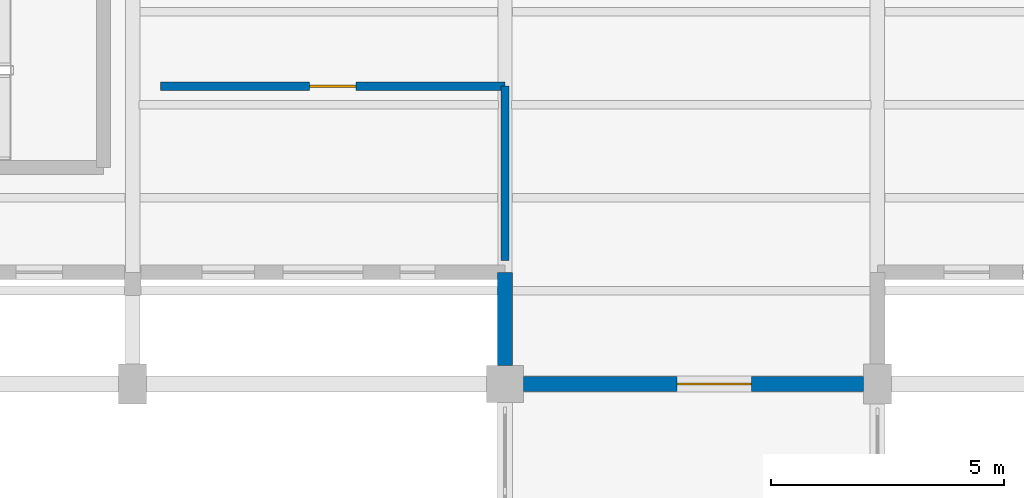
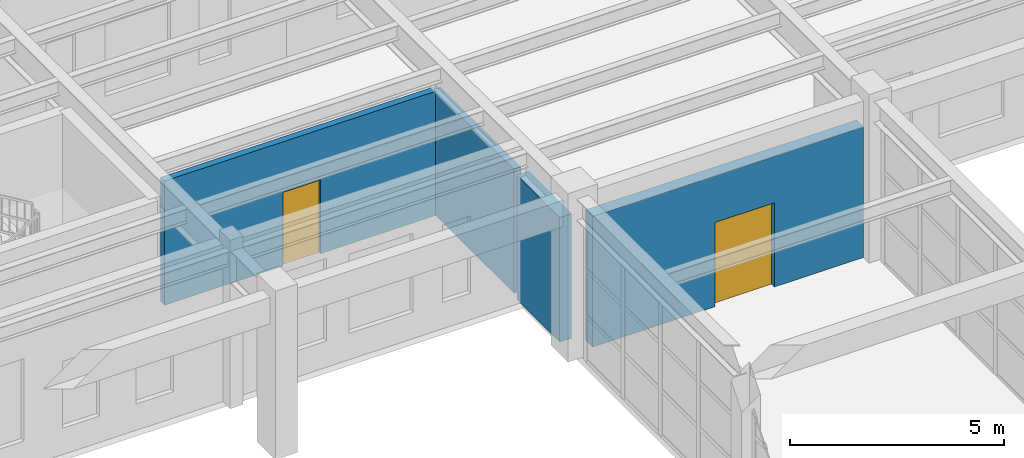
# One storey, part 42 of 59: 4 walls, 2 doors, 2 openings.
"""IFC4 building model written with IfcOpenShell, lengths in metres."""

from ifc_helpers import new_model, si_unit, direction, frame, frame_2d, origin, place, context, subcontext, project, spatial, rectangle, extrude, material, layer, layer_set, type_object, element, fill, save


model = new_model("IFC4")

# Units and contexts
model_context = context("Model", 3, precision=1e-05, world=origin(), true_north=direction((0.0, 1.0)))
body_context = subcontext(model_context, "Body", "Model", "MODEL_VIEW")
ifc_project = project(units=[si_unit("LENGTHUNIT", "METRE"), si_unit("AREAUNIT", "SQUARE_METRE"), si_unit("VOLUMEUNIT", "CUBIC_METRE"), si_unit("PLANEANGLEUNIT", "RADIAN"), si_unit("MASSUNIT", "GRAM", prefix="KILO")], contexts=[model_context])

# Site, building, storey
site_placement = place(None, origin())
site = spatial("IfcSite", under=ifc_project, at=site_placement, CompositionType="ELEMENT")
building_placement = place(site_placement, origin())
building = spatial("IfcBuilding", under=site, at=building_placement, Name="Serraluz Foothill Cableway Terminal", CompositionType="ELEMENT")
storey_placement = place(building_placement, frame((0.0, 0.0, 4.800048828125)))
storey = spatial("IfcBuildingStorey", under=building, at=storey_placement, Name="L01", CompositionType="ELEMENT", Elevation=4.800048828125)

# Wall
ifc_material_1 = material(Name="Dark clinker clay masonry brick (f'm 14 MPa)", Category="masonry")
ifc_layer_1 = layer(ifc_material_1, 0.320068359375, Name="Dark clinker clay masonry brick (f'm 14 MPa)", Category="masonry")
ifc_layer_set_1 = layer_set([ifc_layer_1], Name="Dark clinker clay masonry brick (f'm 14 MPa)")
wall_type_1 = type_object("IfcWallType", Name="TYP-WL-EXT-320", PredefinedType="STANDARD", material=ifc_layer_set_1)
wall_1_placement = place(storey_placement, frame((120.0, 56.39990234375, 0.0), z_axis=(0.0, 0.0, 1.0), x_axis=(0.0, 1.0, 0.0)))
element("IfcWall", 1, at=wall_1_placement, inside=storey, type_object=wall_type_1, Name="Exterior Masonry Wall EW-V1S-CLW-L01", PredefinedType="STANDARD", context=body_context, shape_type="SweptSolid", body=[
    extrude(rectangle(XDim=2.0, YDim=0.320068359375, at=frame_2d((1.0, 0.0))), origin(), (0.0, 0.0, 1.0), 3.5478515625),
])

# Wall, opening, door
wall_2_placement = place(storey_placement, frame((127.699951171875, 56.0, 0.0), z_axis=(0.0, 0.0, 1.0), x_axis=(-1.0, 0.0, 0.0)))
wall_2 = element("IfcWall", 2, at=wall_2_placement, inside=storey, type_object=wall_type_1, Name="Exterior Masonry Wall EW-V1S-L01-120", PredefinedType="STANDARD", context=body_context, shape_type="SweptSolid", body=[
    extrude(rectangle(XDim=7.300048828125, YDim=0.320068359375, at=frame_2d((3.64990234375, 0.0))), origin(), (0.0, 0.0, 1.0), 3.724853515625),
])
opening_1_placement = place(wall_2_placement, frame((2.39990234375, 0.0, 0.0)))
opening_1 = element("IfcOpeningElement", 3, at=opening_1_placement, cuts=wall_2, Name="Opening DT-03", PredefinedType="OPENING", context=body_context, shape_type="SweptSolid", body=[
    extrude(rectangle(XDim=1.60009765625, YDim=2.39990234375, at=frame_2d((0.800048828125, 1.199951171875))), frame((0.0, 0.169921875, 0.0), z_axis=(0.0, -1.0, 0.0), x_axis=(1.0, 0.0, 0.0)), (0.0, 0.0, 1.0), 0.340087890625),
])
ifc_material_2 = material(Name="Architectural bronze alloy C28000", Category="aluminium")
door_type_1 = type_object("IfcDoorType", Name="TYP-DR-TER-1600", OperationType="DOUBLE_DOOR_SINGLE_SWING", PredefinedType="DOOR", material=ifc_material_2)
door_1_placement = place(opening_1_placement, origin())
door_1 = element("IfcDoor", 4, at=door_1_placement, inside=storey, type_object=door_type_1, Name="Cloister North Bridge Door L01", OperationType="DOUBLE_DOOR_SINGLE_SWING", OverallHeight=2.39990234375, OverallWidth=1.60009765625, PredefinedType="DOOR", context=body_context, shape_type="SweptSolid", body=[
    extrude(rectangle(XDim=1.60009765625, YDim=2.39990234375, at=frame_2d((0.800048828125, 1.199951171875))), frame((0.0, 0.02490234375, 0.0), z_axis=(0.0, -1.0, 0.0), x_axis=(1.0, 0.0, 0.0)), (0.0, 0.0, 1.0), 0.050048828125),
])
fill(opening_1, door_1)

ifc_material_3 = material(Name="Fired clay masonry brick (f'm 12 MPa)", Category="masonry")
ifc_layer_2 = layer(ifc_material_3, 0.179931640625, Name="Fired clay masonry brick (f'm 12 MPa)", Category="masonry")
ifc_layer_set_2 = layer_set([ifc_layer_2], Name="Fired clay masonry brick (f'm 12 MPa)")
wall_type_2 = type_object("IfcWallType", Name="TYP-WL-PRT-180", PredefinedType="PARTITIONING", material=ifc_layer_set_2)
wall_3_placement = place(storey_placement, frame((112.60009765625, 62.39990234375, 0.0), z_axis=(0.0, 0.0, 1.0), x_axis=(1.0, 0.0, 0.0)))
wall_3 = element("IfcWall", 5, at=wall_3_placement, inside=storey, type_object=wall_type_2, Name="Interior Partition PT-L01-04", PredefinedType="PARTITIONING", context=body_context, shape_type="SweptSolid", body=[
    extrude(rectangle(XDim=7.39990234375, YDim=0.179931640625, at=frame_2d((3.699951171875, 0.0))), origin(), (0.0, 0.0, 1.0), 3.5400390625),
])
opening_2_placement = place(wall_3_placement, frame((3.199951171875, 0.0, 0.0)))
opening_2 = element("IfcOpeningElement", 6, at=opening_2_placement, cuts=wall_3, Name="Opening DI-04", PredefinedType="OPENING", context=body_context, shape_type="SweptSolid", body=[
    extrude(rectangle(XDim=1.0, YDim=2.10009765625, at=frame_2d((0.5, 1.050048828125))), frame((0.0, 0.10009765625, 0.0), z_axis=(0.0, -1.0, 0.0), x_axis=(1.0, 0.0, 0.0)), (0.0, 0.0, 1.0), 0.199951171875),
])
ifc_material_4 = material(Name="Kiln-dried Andean oak hardwood", Category="wood")
door_type_2 = type_object("IfcDoorType", Name="TYP-DR-ACC-1000", OperationType="NOTDEFINED", PredefinedType="DOOR", material=ifc_material_4)
door_2_placement = place(opening_2_placement, origin())
door_2 = element("IfcDoor", 7, at=door_2_placement, inside=storey, type_object=door_type_2, Name="Interior Door PT-L01-04-DR1", OperationType="SINGLE_SWING_RIGHT", OverallHeight=2.10009765625, OverallWidth=1.0, PredefinedType="DOOR", context=body_context, shape_type="SweptSolid", body=[
    extrude(rectangle(XDim=1.0, YDim=2.10009765625, at=frame_2d((0.5, 1.050048828125))), frame((0.0, 0.02490234375, 0.0), z_axis=(0.0, -1.0, 0.0), x_axis=(1.0, 0.0, 0.0)), (0.0, 0.0, 1.0), 0.050048828125),
])
fill(opening_2, door_2)

# Wall
wall_4_placement = place(storey_placement, frame((120.0, 58.64990234375, 0.0), z_axis=(0.0, 0.0, 1.0), x_axis=(0.0, 1.0, 0.0)))
element("IfcWall", 8, at=wall_4_placement, inside=storey, type_object=wall_type_2, Name="Interior Partition PT-L01-04C", PredefinedType="PARTITIONING", context=body_context, shape_type="SweptSolid", body=[
    extrude(rectangle(XDim=3.75, YDim=0.179931640625, at=frame_2d((1.875, 0.0))), origin(), (0.0, 0.0, 1.0), 3.5400390625),
])

save(model, "model.ifc")
